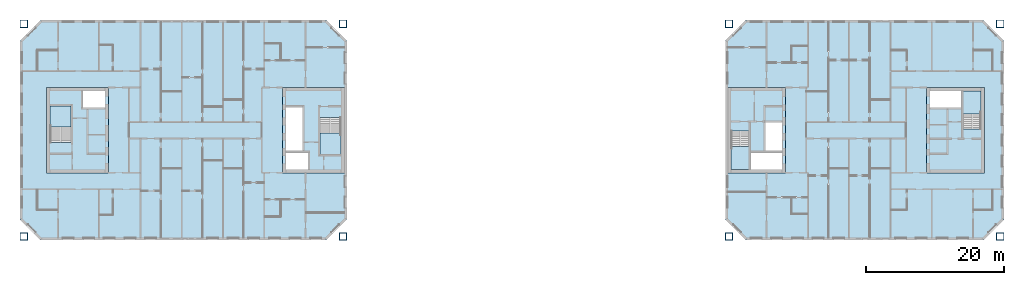
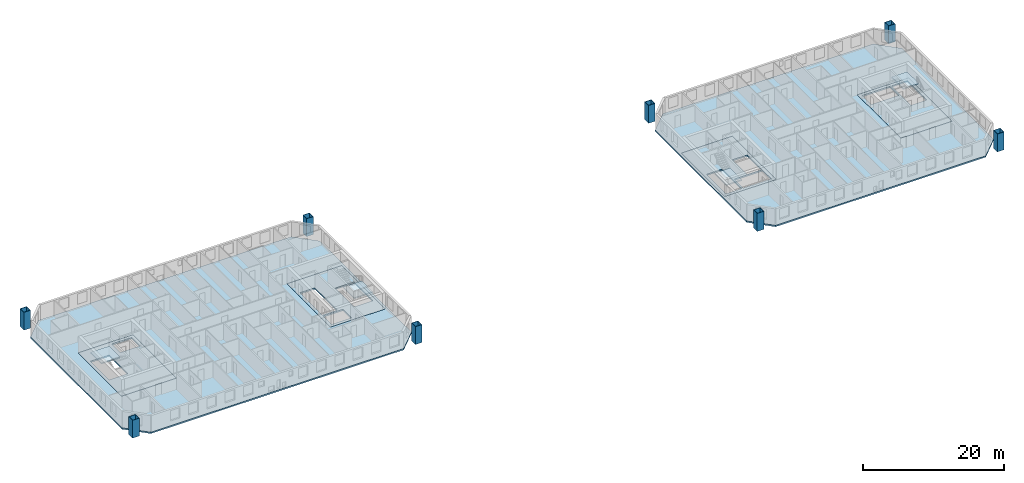
# One storey, part 1 of 15: 10 slabs, 8 columns, 4 elements without a shape of their own.
"""IFC4 building model written with IfcOpenShell, lengths in metres."""

from ifc_helpers import new_model, si_unit, direction, frame, origin, origin_2d, place, context, subcontext, project, spatial, polyline, hollow_rectangle, outline, extrude, material, layer, layer_set, material_profile, profile_set, type_object, element, aggregate, save


model = new_model("IFC4")

# Units and contexts
model_context = context("Model", 3, precision=1e-05, world=origin(), true_north=direction((0.0, 1.0)))
body_context = subcontext(model_context, "Body", "Model", "MODEL_VIEW")
ifc_project = project(units=[si_unit("LENGTHUNIT", "METRE"), si_unit("AREAUNIT", "SQUARE_METRE"), si_unit("VOLUMEUNIT", "CUBIC_METRE"), si_unit("PLANEANGLEUNIT", "RADIAN"), si_unit("MASSUNIT", "GRAM", prefix="KILO")], contexts=[model_context])

# Site, building, storey
site_placement = place(None, origin())
site = spatial("IfcSite", under=ifc_project, at=site_placement, CompositionType="ELEMENT")
building_placement = place(site_placement, origin())
building = spatial("IfcBuilding", under=site, at=building_placement, Name="Tuart Gate Housing", CompositionType="ELEMENT")
storey_placement = place(building_placement, frame((0.0, 0.0, 164.0)))
storey = spatial("IfcBuildingStorey", under=building, at=storey_placement, Name="L46", CompositionType="ELEMENT", Elevation=164.0)

# Columns
ifc_material_1 = material(Name="Steel Grade 350", Category="steel")
ifc_material_profile = material_profile(ifc_material_1, hollow_rectangle(XDim=1.10009765625, YDim=1.10009765625, WallThickness=0.06005859375, at=origin_2d()), Name="BOX 1100x1100x60")
ifc_profile_set = profile_set([ifc_material_profile], Name="Steel Grade 350")
column_type = type_object("IfcColumnType", Name="Mega column BOX 1100x1100x60", PredefinedType="COLUMN", material=ifc_profile_set)
for number, where, z_axis, x_axis, name in (
    (1, (29.050048828125, 54.550048828125, 0.0), (0.0, 0.0, 1.0), (1.0, 0.0, 0.0), "Mega column A south-west L46"),
    (2, (75.449951171875, 54.550048828125, 0.0), (0.0, 0.0, 1.0), (1.0, 0.0, 0.0), "Mega column A south-east L46"),
    (3, (75.449951171875, 85.449951171875, 0.0), (0.0, 0.0, 1.0), (1.0, 0.0, 0.0), "Mega column A north-east L46"),
    (4, (29.050048828125, 85.449951171875, 0.0), (0.0, 0.0, 1.0), (1.0, 0.0, 0.0), "Mega column A north-west L46"),
    (5, (131.550048828125, 54.550048828125, 0.0), (0.0, 0.0, 1.0), (1.0, 0.0, 0.0), "Mega column B south-west L46"),
    (6, (170.949951171875, 54.550048828125, 0.0), (0.0, 0.0, 1.0), (1.0, 0.0, 0.0), "Mega column B south-east L46"),
    (7, (170.949951171875, 85.449951171875, 0.0), (0.0, 0.0, 1.0), (1.0, 0.0, 0.0), "Mega column B north-east L46"),
    (8, (131.550048828125, 85.449951171875, 0.0), (0.0, 0.0, 1.0), (1.0, 0.0, 0.0), "Mega column B north-west L46"),
):
    element("IfcColumn", number, at=place(storey_placement, frame(where, z_axis=z_axis, x_axis=x_axis)), inside=storey, type_object=column_type, Name=name, PredefinedType="COLUMN", context=body_context, shape_type="SweptSolid", body=[
        extrude(hollow_rectangle(XDim=1.10009765625, YDim=1.10009765625, WallThickness=0.06005859375, at=origin_2d()), origin(), (0.0, 0.0, 1.0), 3.10009765625),
    ])

# Slabs
ifc_material_2 = material(Name="Concrete C40", Category="concrete")
ifc_layer_1 = layer(ifc_material_2, 0.25)
ifc_layer_set_1 = layer_set([ifc_layer_1], Name="Core floor slab 250")
slab_type_1 = type_object("IfcSlabType", Name="Core floor slab 250", PredefinedType="FLOOR", material=ifc_layer_set_1)
slab_1_placement = place(storey_placement, frame((0.0, 0.0, -0.25)))
element("IfcSlab", 9, at=slab_1_placement, inside=storey, type_object=slab_type_1, Name="Core floor AG", PredefinedType="FLOOR", context=body_context, shape_type="SweptSolid", body=[
    extrude(outline(polyline([(66.639892578125, 63.800048828125), (75.639892578125, 63.800048828125), (75.639892578125, 76.199951171875), (66.639892578125, 76.199951171875), (66.639892578125, 63.800048828125)]), holes=[polyline([(67.139892578125, 64.300048828125), (70.385009765625, 64.300048828125), (70.385009765625, 66.72509765625), (67.139892578125, 66.72509765625), (67.139892578125, 64.300048828125)]), polyline([(67.139892578125, 66.97509765625), (69.56494140625, 66.97509765625), (69.56494140625, 73.324951171875), (67.139892578125, 73.324951171875), (67.139892578125, 66.97509765625)]), polyline([(72.06494140625, 66.47509765625), (75.139892578125, 66.47509765625), (75.139892578125, 71.804931640625), (72.06494140625, 71.804931640625), (72.06494140625, 66.47509765625)])]), origin(), (0.0, 0.0, 1.0), 0.25),
])
slab_2_placement = place(storey_placement, frame((0.0, 0.0, -0.25)))
element("IfcSlab", 10, at=slab_2_placement, inside=storey, type_object=slab_type_1, Name="Core floor AK", PredefinedType="FLOOR", context=body_context, shape_type="SweptSolid", body=[
    extrude(outline(polyline([(32.360107421875, 63.800048828125), (41.360107421875, 63.800048828125), (41.360107421875, 76.199951171875), (32.360107421875, 76.199951171875), (32.360107421875, 63.800048828125)]), holes=[polyline([(40.860107421875, 75.699951171875), (37.614990234375, 75.699951171875), (37.614990234375, 73.27490234375), (40.860107421875, 73.27490234375), (40.860107421875, 75.699951171875)]), polyline([(35.93505859375, 73.52490234375), (32.860107421875, 73.52490234375), (32.860107421875, 68.195068359375), (35.93505859375, 68.195068359375), (35.93505859375, 73.52490234375)])]), origin(), (0.0, 0.0, 1.0), 0.25),
])
slab_3_placement = place(storey_placement, frame((0.0, 0.0, -0.25)))
element("IfcSlab", 11, at=slab_3_placement, inside=storey, type_object=slab_type_1, Name="Core floor BG", PredefinedType="FLOOR", context=body_context, shape_type="SweptSolid", body=[
    extrude(outline(polyline([(131.360107421875, 63.800048828125), (139.760009765625, 63.800048828125), (139.760009765625, 76.199951171875), (131.360107421875, 76.199951171875), (131.360107421875, 63.800048828125)]), holes=[polyline([(139.260009765625, 66.85009765625), (134.68505859375, 66.85009765625), (134.68505859375, 64.300048828125), (139.260009765625, 64.300048828125), (139.260009765625, 66.85009765625)]), polyline([(139.260009765625, 71.125), (136.8349609375, 71.125), (136.8349609375, 66.97509765625), (139.260009765625, 66.97509765625), (139.260009765625, 71.125)]), polyline([(134.43505859375, 69.85498046875), (131.860107421875, 69.85498046875), (131.860107421875, 64.300048828125), (134.43505859375, 64.300048828125), (134.43505859375, 69.85498046875)])]), origin(), (0.0, 0.0, 1.0), 0.25),
])
slab_4_placement = place(storey_placement, frame((0.0, 0.0, -0.25)))
element("IfcSlab", 12, at=slab_4_placement, inside=storey, type_object=slab_type_1, Name="Core floor BK", PredefinedType="FLOOR", context=body_context, shape_type="SweptSolid", body=[
    extrude(outline(polyline([(160.239990234375, 63.800048828125), (168.639892578125, 63.800048828125), (168.639892578125, 76.199951171875), (160.239990234375, 76.199951171875), (160.239990234375, 63.800048828125)]), holes=[polyline([(160.739990234375, 73.14990234375), (165.31494140625, 73.14990234375), (165.31494140625, 75.699951171875), (160.739990234375, 75.699951171875), (160.739990234375, 73.14990234375)]), polyline([(165.56494140625, 70.14501953125), (168.139892578125, 70.14501953125), (168.139892578125, 75.699951171875), (165.56494140625, 75.699951171875), (165.56494140625, 70.14501953125)])]), origin(), (0.0, 0.0, 1.0), 0.25),
])
ifc_material_3 = material(Name="Concrete C40", Category="concrete")
ifc_layer_2 = layer(ifc_material_3, 0.25)
ifc_layer_set_2 = layer_set([ifc_layer_2], Name="Flat plate 250")
slab_type_2 = type_object("IfcSlabType", Name="Flat plate 250", PredefinedType="FLOOR", material=ifc_layer_set_2)
slab_5_placement = place(storey_placement, frame((0.0, 0.0, -0.25)))
element("IfcSlab", 13, at=slab_5_placement, inside=storey, type_object=slab_type_2, Name="Floor slab A L46", PredefinedType="FLOOR", context=body_context, shape_type="SweptSolid", body=[
    extrude(outline(polyline([(31.5, 86.0), (28.5, 83.0), (28.5, 57.0), (31.5, 54.0), (73.0, 54.0), (76.0, 57.0), (76.0, 83.0), (73.0, 86.0), (31.5, 86.0)]), holes=[polyline([(66.639892578125, 76.199951171875), (75.639892578125, 76.199951171875), (75.639892578125, 63.800048828125), (66.639892578125, 63.800048828125), (66.639892578125, 76.199951171875)]), polyline([(41.360107421875, 76.199951171875), (41.360107421875, 63.800048828125), (32.360107421875, 63.800048828125), (32.360107421875, 76.199951171875), (41.360107421875, 76.199951171875)])]), origin(), (0.0, 0.0, 1.0), 0.25),
])
slab_6_placement = place(storey_placement, frame((0.0, 0.0, -0.25)))
element("IfcSlab", 14, at=slab_6_placement, inside=storey, type_object=slab_type_2, Name="Floor slab B L46", PredefinedType="FLOOR", context=body_context, shape_type="SweptSolid", body=[
    extrude(outline(polyline([(134.0, 86.0), (131.0, 83.0), (131.0, 57.0), (134.0, 54.0), (168.5, 54.0), (171.5, 57.0), (171.5, 83.0), (168.5, 86.0), (134.0, 86.0)]), holes=[polyline([(131.360107421875, 76.199951171875), (139.760009765625, 76.199951171875), (139.760009765625, 63.800048828125), (131.360107421875, 63.800048828125), (131.360107421875, 76.199951171875)]), polyline([(168.639892578125, 76.199951171875), (168.639892578125, 63.800048828125), (160.239990234375, 63.800048828125), (160.239990234375, 76.199951171875), (168.639892578125, 76.199951171875)])]), origin(), (0.0, 0.0, 1.0), 0.25),
])

# Stair, slab
ifc_material_4 = material(Name="Concrete C40", Category="concrete")
stair_type_1 = type_object("IfcStairType", Name="Core stair 1500", PredefinedType="HALF_TURN_STAIR", material=ifc_material_4)
stair_1_placement = place(storey_placement, origin())
stair_1 = element("IfcStair", 15, at=stair_1_placement, inside=storey, type_object=stair_type_1, Name="Stair SA1", PredefinedType="HALF_TURN_STAIR")
ifc_material_5 = material(Name="Concrete C40", Category="concrete")
ifc_layer_3 = layer(ifc_material_5, 0.199951171875)
ifc_layer_set_3 = layer_set([ifc_layer_3], Name="Stair landing 200")
slab_type_3 = type_object("IfcSlabType", Name="Stair landing 200", PredefinedType="LANDING", material=ifc_layer_set_3)
slab_7_placement = place(storey_placement, frame((0.0, 0.0, 1.35009765625)))
slab_7 = element("IfcSlab", 16, at=slab_7_placement, type_object=slab_type_3, Name="SA1 landing 1", PredefinedType="LANDING", context=body_context, shape_type="SweptSolid", body=[
    extrude(outline(polyline([(72.06494140625, 66.47509765625), (75.139892578125, 66.47509765625), (75.139892578125, 69.5849609375), (72.06494140625, 69.5849609375), (72.06494140625, 66.47509765625)])), origin(), (0.0, 0.0, 1.0), 0.199951171875),
])
aggregate(stair_1, [slab_7])

stair_2_placement = place(storey_placement, origin())
stair_2 = element("IfcStair", 17, at=stair_2_placement, inside=storey, type_object=stair_type_1, Name="Stair SA2", PredefinedType="HALF_TURN_STAIR")
slab_8_placement = place(storey_placement, frame((0.0, 0.0, 1.35009765625)))
slab_8 = element("IfcSlab", 18, at=slab_8_placement, type_object=slab_type_3, Name="SA2 landing 1", PredefinedType="LANDING", context=body_context, shape_type="SweptSolid", body=[
    extrude(outline(polyline([(35.93505859375, 73.52490234375), (32.860107421875, 73.52490234375), (32.860107421875, 70.4150390625), (35.93505859375, 70.4150390625), (35.93505859375, 73.52490234375)])), origin(), (0.0, 0.0, 1.0), 0.199951171875),
])
aggregate(stair_2, [slab_8])

ifc_material_6 = material(Name="Concrete C40", Category="concrete")
stair_type_2 = type_object("IfcStairType", Name="Core stair 1250", PredefinedType="HALF_TURN_STAIR", material=ifc_material_6)
stair_3_placement = place(storey_placement, origin())
stair_3 = element("IfcStair", 19, at=stair_3_placement, inside=storey, type_object=stair_type_2, Name="Stair SB1", PredefinedType="HALF_TURN_STAIR")
slab_9_placement = place(storey_placement, frame((0.0, 0.0, 1.35009765625)))
slab_9 = element("IfcSlab", 20, at=slab_9_placement, type_object=slab_type_3, Name="SB1 landing 1", PredefinedType="LANDING", context=body_context, shape_type="SweptSolid", body=[
    extrude(outline(polyline([(134.43505859375, 67.635009765625), (131.860107421875, 67.635009765625), (131.860107421875, 64.300048828125), (134.43505859375, 64.300048828125), (134.43505859375, 67.635009765625)])), origin(), (0.0, 0.0, 1.0), 0.199951171875),
])
aggregate(stair_3, [slab_9])

stair_4_placement = place(storey_placement, origin())
stair_4 = element("IfcStair", 21, at=stair_4_placement, inside=storey, type_object=stair_type_2, Name="Stair SB2", PredefinedType="HALF_TURN_STAIR")
slab_10_placement = place(storey_placement, frame((0.0, 0.0, 1.35009765625)))
slab_10 = element("IfcSlab", 22, at=slab_10_placement, type_object=slab_type_3, Name="SB2 landing 1", PredefinedType="LANDING", context=body_context, shape_type="SweptSolid", body=[
    extrude(outline(polyline([(165.56494140625, 72.364990234375), (168.139892578125, 72.364990234375), (168.139892578125, 75.699951171875), (165.56494140625, 75.699951171875), (165.56494140625, 72.364990234375)])), origin(), (0.0, 0.0, 1.0), 0.199951171875),
])
aggregate(stair_4, [slab_10])

save(model, "model.ifc")
